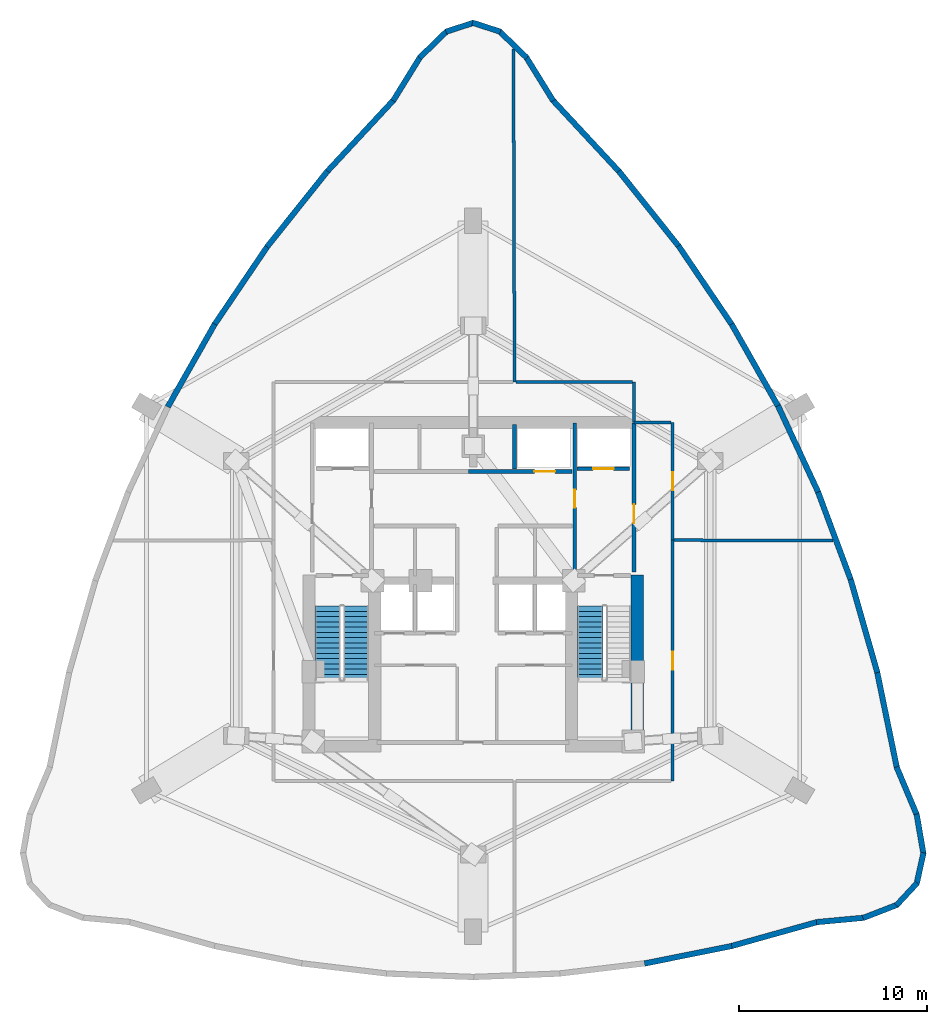
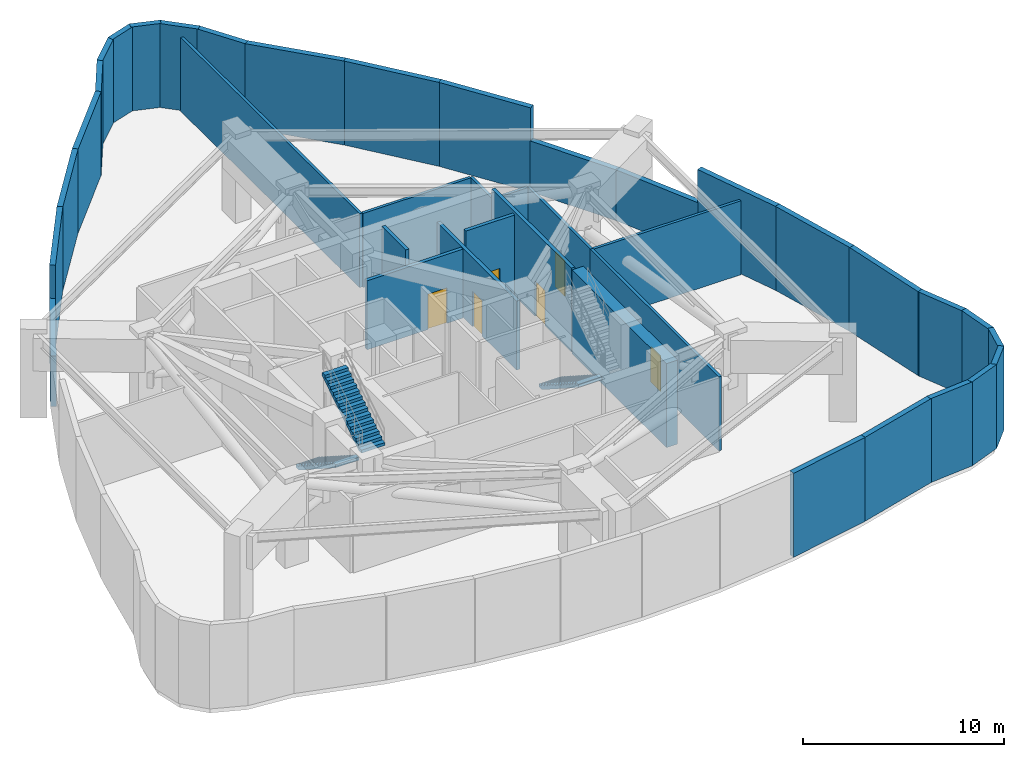
# One storey, part 4 of 6: 39 walls, 6 doors, 3 stair flights, 6 openings, 2 elements without a shape of their own.
"""IFC4 building model written with IfcOpenShell, lengths in metres."""

from ifc_helpers import new_model, si_unit, direction, frame, frame_2d, origin, place, context, subcontext, project, spatial, polyline, rectangle, outline, extrude, material, layer, layer_set, type_object, element, fill, aggregate, save


model = new_model("IFC4")

# Units and contexts
model_context = context("Model", 3, precision=1e-05, world=origin(), true_north=direction((0.0, 1.0)))
body_context = subcontext(model_context, "Body", "Model", "MODEL_VIEW")
ifc_project = project(units=[si_unit("LENGTHUNIT", "METRE"), si_unit("AREAUNIT", "SQUARE_METRE"), si_unit("VOLUMEUNIT", "CUBIC_METRE"), si_unit("PLANEANGLEUNIT", "RADIAN"), si_unit("MASSUNIT", "GRAM", prefix="KILO")], contexts=[model_context])

# Site, building, storey
site_placement = place(None, origin())
site = spatial("IfcSite", under=ifc_project, at=site_placement, CompositionType="ELEMENT")
building_placement = place(site_placement, origin())
building = spatial("IfcBuilding", under=site, at=building_placement, Name="Miruveldt Soraemaru", CompositionType="ELEMENT")
storey_placement = place(building_placement, frame((0.0, 0.0, 90.39990234375)))
storey = spatial("IfcBuildingStorey", under=building, at=storey_placement, Name="L25", CompositionType="ELEMENT", Elevation=90.39990234375)

# Walls
ifc_material_1 = material(Name="Concrete C80/95 (80 MPa)", Category="concrete")
ifc_layer_1 = layer(ifc_material_1, 0.64990234375, Name="Concrete C80/95 (80 MPa)", Category="concrete")
ifc_layer_set_1 = layer_set([ifc_layer_1], Name="Concrete C80/95 (80 MPa)")
wall_type_1 = type_object("IfcWallType", Name="WALL-CW-650", PredefinedType="SHEAR", material=ifc_layer_set_1)
wall_1_placement = place(storey_placement, frame((52.72509765625, 34.949951171875, 0.0), z_axis=(0.0, 0.0, 1.0), x_axis=(0.0, 1.0, 0.0)))
element("IfcWall", 1, at=wall_1_placement, inside=storey, type_object=wall_type_1, Name="L25 Central Core Shear Wall E1", PredefinedType="SHEAR", context=body_context, shape_type="SweptSolid", body=[
    extrude(rectangle(XDim=9.400146484375, YDim=0.64990234375, at=frame_2d((4.7001953125, 0.0))), origin(), (0.0, 0.0, 1.0), 5.10009765625),
])
ifc_material_2 = material(Name="Precast concrete C45/55 (45 MPa)", Category="concrete")
ifc_layer_2 = layer(ifc_material_2, 0.300048828125, Name="Precast concrete C45/55 (45 MPa)", Category="concrete")
ifc_layer_set_2 = layer_set([ifc_layer_2], Name="Precast concrete C45/55 (45 MPa)")
wall_type_2 = type_object("IfcWallType", Name="WALL-EXT-PC300", PredefinedType="SOLIDWALL", material=ifc_layer_set_2)
wall_2_placement = place(storey_placement, frame((48.256591796875, 69.551025390625, 0.0), z_axis=(0.0, 0.0, 1.0), x_axis=(-0.526122775555, 0.850408622394, 0.0)))
element("IfcWall", 2, at=wall_2_placement, inside=storey, type_object=wall_type_2, Name="L25 Precast Concrete Facade Wall 1", PredefinedType="SOLIDWALL", context=body_context, shape_type="SweptSolid", body=[
    extrude(rectangle(XDim=2.75537109375, YDim=0.300048828125, at=frame_2d((1.377685546875, 0.0))), origin(), (0.0, 0.0, 1.0), 5.10009765625),
])
wall_3_placement = place(storey_placement, frame((46.8505859375, 71.840087890625, 0.0), z_axis=(0.0, 0.0, 1.0), x_axis=(-0.717746181479, 0.696304831932, 0.0)))
element("IfcWall", 3, at=wall_3_placement, inside=storey, type_object=wall_type_2, Name="L25 Precast Concrete Facade Wall 2", PredefinedType="SOLIDWALL", context=body_context, shape_type="SweptSolid", body=[
    extrude(rectangle(XDim=2.0380859375, YDim=0.300048828125, at=frame_2d((1.01904296875, 0.0))), origin(), (0.0, 0.0, 1.0), 5.10009765625),
])
for number, where, z_axis, x_axis, name in (
    (4, (45.446044921875, 73.22412109375, 0.0), (0.0, 0.0, 1.0), (-0.95150266892, 0.307640489918, 0.0), "L25 Precast Concrete Facade Wall 3"),
    (5, (44.033203125, 73.702392578125, 0.0), (0.0, 0.0, 1.0), (-0.95150266892, -0.307640489918, 0.0), "L25 Precast Concrete Facade Wall 4"),
):
    element("IfcWall", number, at=place(storey_placement, frame(where, z_axis=z_axis, x_axis=x_axis)), inside=storey, type_object=wall_type_2, Name=name, PredefinedType="SOLIDWALL", context=body_context, shape_type="SweptSolid", body=[
        extrude(rectangle(XDim=1.5546875, YDim=0.300048828125, at=frame_2d((0.77734375, 0.0))), origin(), (0.0, 0.0, 1.0), 5.10009765625),
    ])
wall_4_placement = place(storey_placement, frame((42.6123046875, 73.25927734375, 0.0), z_axis=(0.0, 0.0, 1.0), x_axis=(-0.717746181479, -0.696304831932, 0.0)))
element("IfcWall", 6, at=wall_4_placement, inside=storey, type_object=wall_type_2, Name="L25 Precast Concrete Facade Wall 5", PredefinedType="SOLIDWALL", context=body_context, shape_type="SweptSolid", body=[
    extrude(rectangle(XDim=2.0380859375, YDim=0.300048828125, at=frame_2d((1.01904296875, 0.0))), origin(), (0.0, 0.0, 1.0), 5.10009765625),
])
wall_5_placement = place(storey_placement, frame((41.193115234375, 71.894287109375, 0.0), z_axis=(0.0, 0.0, 1.0), x_axis=(-0.526122775555, -0.850408622394, 0.0)))
element("IfcWall", 7, at=wall_5_placement, inside=storey, type_object=wall_type_2, Name="L25 Precast Concrete Facade Wall 6", PredefinedType="SOLIDWALL", context=body_context, shape_type="SweptSolid", body=[
    extrude(rectangle(XDim=2.75537109375, YDim=0.300048828125, at=frame_2d((1.377685546875, 0.0))), origin(), (0.0, 0.0, 1.0), 5.10009765625),
])
wall_6_placement = place(storey_placement, frame((39.78564453125, 69.6064453125, 0.0), z_axis=(0.0, 0.0, 1.0), x_axis=(-0.680891661454, -0.732384151496, 0.0)))
element("IfcWall", 8, at=wall_6_placement, inside=storey, type_object=wall_type_2, Name="L25 Precast Concrete Facade Wall 7", PredefinedType="SOLIDWALL", context=body_context, shape_type="SweptSolid", body=[
    extrude(rectangle(XDim=5.24853515625, YDim=0.300048828125, at=frame_2d((2.624267578125, 0.0))), origin(), (0.0, 0.0, 1.0), 5.10009765625),
])
wall_7_placement = place(storey_placement, frame((36.257568359375, 65.8154296875, 0.0), z_axis=(0.0, 0.0, 1.0), x_axis=(-0.623614531154, -0.781731997896, 0.0)))
element("IfcWall", 9, at=wall_7_placement, inside=storey, type_object=wall_type_2, Name="L25 Precast Concrete Facade Wall 8", PredefinedType="SOLIDWALL", context=body_context, shape_type="SweptSolid", body=[
    extrude(rectangle(XDim=5.155517578125, YDim=0.300048828125, at=frame_2d((2.57763671875, 0.0))), origin(), (0.0, 0.0, 1.0), 5.10009765625),
])
wall_8_placement = place(storey_placement, frame((33.083984375, 61.841552734375, 0.0), z_axis=(0.0, 0.0, 1.0), x_axis=(-0.560824825682, -0.827934487081, 0.0)))
element("IfcWall", 10, at=wall_8_placement, inside=storey, type_object=wall_type_2, Name="L25 Precast Concrete Facade Wall 9", PredefinedType="SOLIDWALL", context=body_context, shape_type="SweptSolid", body=[
    extrude(rectangle(XDim=5.0927734375, YDim=0.300048828125, at=frame_2d((2.54638671875, 0.0))), origin(), (0.0, 0.0, 1.0), 5.10009765625),
])
wall_9_placement = place(storey_placement, frame((30.264892578125, 57.6845703125, 0.0), z_axis=(0.0, 0.0, 1.0), x_axis=(-0.493414193935, -0.869794477577, 0.0)))
element("IfcWall", 11, at=wall_9_placement, inside=storey, type_object=wall_type_2, Name="L25 Precast Concrete Facade Wall 10", PredefinedType="SOLIDWALL", context=body_context, shape_type="SweptSolid", body=[
    extrude(rectangle(XDim=5.060791015625, YDim=0.300048828125, at=frame_2d((2.5302734375, 0.0))), origin(), (0.0, 0.0, 1.0), 3.088134765625),
])
wall_10_placement = place(storey_placement, frame((53.10546875, 23.6982421875, 0.0), z_axis=(0.0, 0.0, 1.0), x_axis=(0.980568763514, 0.196175686621, 0.0)))
element("IfcWall", 12, at=wall_10_placement, inside=storey, type_object=wall_type_2, Name="L25 Precast Concrete Facade Wall 27", PredefinedType="SOLIDWALL", context=body_context, shape_type="SweptSolid", body=[
    extrude(rectangle(XDim=4.730224609375, YDim=0.300048828125, at=frame_2d((2.365234375, 0.0))), origin(), (0.0, 0.0, 1.0), 5.10009765625),
])
wall_11_placement = place(storey_placement, frame((57.676025390625, 24.60986328125, 0.0), z_axis=(0.0, 0.0, 1.0), x_axis=(0.962968231939, 0.269614881407, 0.0)))
element("IfcWall", 13, at=wall_11_placement, inside=storey, type_object=wall_type_2, Name="L25 Precast Concrete Facade Wall 28", PredefinedType="SOLIDWALL", context=body_context, shape_type="SweptSolid", body=[
    extrude(rectangle(XDim=4.8154296875, YDim=0.300048828125, at=frame_2d((2.40771484375, 0.0))), origin(), (0.0, 0.0, 1.0), 5.10009765625),
])
wall_12_placement = place(storey_placement, frame((62.24462890625, 25.8955078125, 0.0), z_axis=(0.0, 0.0, 1.0), x_axis=(0.995758864763, 0.092001539368, 0.0)))
element("IfcWall", 14, at=wall_12_placement, inside=storey, type_object=wall_type_2, Name="L25 Precast Concrete Facade Wall 29", PredefinedType="SOLIDWALL", context=body_context, shape_type="SweptSolid", body=[
    extrude(rectangle(XDim=2.552734375, YDim=0.300048828125, at=frame_2d((1.2763671875, 0.0))), origin(), (0.0, 0.0, 1.0), 5.10009765625),
])
wall_13_placement = place(storey_placement, frame((64.71923828125, 26.114501953125, 0.0), z_axis=(0.0, 0.0, 1.0), x_axis=(0.932284328801, 0.361726319575, 0.0)))
element("IfcWall", 15, at=wall_13_placement, inside=storey, type_object=wall_type_2, Name="L25 Precast Concrete Facade Wall 30", PredefinedType="SOLIDWALL", context=body_context, shape_type="SweptSolid", body=[
    extrude(rectangle(XDim=1.964111328125, YDim=0.300048828125, at=frame_2d((0.98193359375, 0.0))), origin(), (0.0, 0.0, 1.0), 5.10009765625),
])
wall_14_placement = place(storey_placement, frame((66.493896484375, 26.78662109375, 0.0), z_axis=(0.0, 0.0, 1.0), x_axis=(0.680140403354, 0.733081872457, 0.0)))
element("IfcWall", 16, at=wall_14_placement, inside=storey, type_object=wall_type_2, Name="L25 Precast Concrete Facade Wall 31", PredefinedType="SOLIDWALL", context=body_context, shape_type="SweptSolid", body=[
    extrude(rectangle(XDim=1.6279296875, YDim=0.300048828125, at=frame_2d((0.81396484375, 0.0))), origin(), (0.0, 0.0, 1.0), 5.10009765625),
])
wall_15_placement = place(storey_placement, frame((67.56982421875, 27.919921875, 0.0), z_axis=(0.0, 0.0, 1.0), x_axis=(0.21565833033, 0.976468885607, 0.0)))
element("IfcWall", 17, at=wall_15_placement, inside=storey, type_object=wall_type_2, Name="L25 Precast Concrete Facade Wall 32", PredefinedType="SOLIDWALL", context=body_context, shape_type="SweptSolid", body=[
    extrude(rectangle(XDim=1.707275390625, YDim=0.300048828125, at=frame_2d((0.853515625, 0.0))), origin(), (0.0, 0.0, 1.0), 5.10009765625),
])
wall_16_placement = place(storey_placement, frame((67.936279296875, 29.518310546875, 0.0), z_axis=(0.0, 0.0, 1.0), x_axis=(-0.169337924691, 0.985558048651, 0.0)))
element("IfcWall", 18, at=wall_16_placement, inside=storey, type_object=wall_type_2, Name="L25 Precast Concrete Facade Wall 33", PredefinedType="SOLIDWALL", context=body_context, shape_type="SweptSolid", body=[
    extrude(rectangle(XDim=2.155517578125, YDim=0.300048828125, at=frame_2d((1.07763671875, 0.0))), origin(), (0.0, 0.0, 1.0), 5.10009765625),
])
wall_17_placement = place(storey_placement, frame((67.5908203125, 31.575927734375, 0.0), z_axis=(0.0, 0.0, 1.0), x_axis=(-0.388591648194, 0.921410077519, 0.0)))
element("IfcWall", 19, at=wall_17_placement, inside=storey, type_object=wall_type_2, Name="L25 Precast Concrete Facade Wall 34", PredefinedType="SOLIDWALL", context=body_context, shape_type="SweptSolid", body=[
    extrude(rectangle(XDim=2.79638671875, YDim=0.300048828125, at=frame_2d((1.398193359375, 0.0))), origin(), (0.0, 0.0, 1.0), 5.10009765625),
])
wall_18_placement = place(storey_placement, frame((66.52490234375, 34.0859375, 0.0), z_axis=(0.0, 0.0, 1.0), x_axis=(-0.201587300232, 0.979470551056, 0.0)))
element("IfcWall", 20, at=wall_18_placement, inside=storey, type_object=wall_type_2, Name="L25 Precast Concrete Facade Wall 35", PredefinedType="SOLIDWALL", context=body_context, shape_type="SweptSolid", body=[
    extrude(rectangle(XDim=5.248779296875, YDim=0.300048828125, at=frame_2d((2.62451171875, 0.0))), origin(), (0.0, 0.0, 1.0), 5.10009765625),
])
wall_19_placement = place(storey_placement, frame((65.4833984375, 39.158935546875, 0.0), z_axis=(0.0, 0.0, 1.0), x_axis=(-0.274933764691, 0.961463168839, 0.0)))
element("IfcWall", 21, at=wall_19_placement, inside=storey, type_object=wall_type_2, Name="L25 Precast Concrete Facade Wall 36", PredefinedType="SOLIDWALL", context=body_context, shape_type="SweptSolid", body=[
    extrude(rectangle(XDim=5.15576171875, YDim=0.300048828125, at=frame_2d((2.577880859375, 0.0))), origin(), (0.0, 0.0, 1.0), 5.10009765625),
])
wall_20_placement = place(storey_placement, frame((64.087646484375, 44.04931640625, 0.0), z_axis=(0.0, 0.0, 1.0), x_axis=(-0.349000064304, 0.937122700139, 0.0)))
element("IfcWall", 22, at=wall_20_placement, inside=storey, type_object=wall_type_2, Name="L25 Precast Concrete Facade Wall 37", PredefinedType="SOLIDWALL", context=body_context, shape_type="SweptSolid", body=[
    extrude(rectangle(XDim=5.0927734375, YDim=0.300048828125, at=frame_2d((2.54638671875, 0.0))), origin(), (0.0, 0.0, 1.0), 5.10009765625),
])
for number, where, z_axis, x_axis, name in (
    (23, (62.337158203125, 48.75732421875, 0.0), (0.0, 0.0, 1.0), (-0.422304370011, 0.906454090988, 0.0), "L25 Precast Concrete Facade Wall 38"),
    (24, (60.232177734375, 53.28271484375, 0.0), (0.0, 0.0, 1.0), (-0.493414193935, 0.869794477577, 0.0), "L25 Precast Concrete Facade Wall 39"),
):
    element("IfcWall", number, at=place(storey_placement, frame(where, z_axis=z_axis, x_axis=x_axis)), inside=storey, type_object=wall_type_2, Name=name, PredefinedType="SOLIDWALL", context=body_context, shape_type="SweptSolid", body=[
        extrude(rectangle(XDim=5.060791015625, YDim=0.300048828125, at=frame_2d((2.5302734375, 0.0))), origin(), (0.0, 0.0, 1.0), 3.088134765625),
    ])
wall_21_placement = place(storey_placement, frame((57.772216796875, 57.625, 0.0), z_axis=(0.0, 0.0, 1.0), x_axis=(-0.560824825682, 0.827934487081, 0.0)))
element("IfcWall", 25, at=wall_21_placement, inside=storey, type_object=wall_type_2, Name="L25 Precast Concrete Facade Wall 40", PredefinedType="SOLIDWALL", context=body_context, shape_type="SweptSolid", body=[
    extrude(rectangle(XDim=5.0927734375, YDim=0.300048828125, at=frame_2d((2.54638671875, 0.0))), origin(), (0.0, 0.0, 1.0), 5.10009765625),
])
wall_22_placement = place(storey_placement, frame((54.95751953125, 61.78515625, 0.0), z_axis=(0.0, 0.0, 1.0), x_axis=(-0.623614531154, 0.781731997896, 0.0)))
element("IfcWall", 26, at=wall_22_placement, inside=storey, type_object=wall_type_2, Name="L25 Precast Concrete Facade Wall 41", PredefinedType="SOLIDWALL", context=body_context, shape_type="SweptSolid", body=[
    extrude(rectangle(XDim=5.155517578125, YDim=0.300048828125, at=frame_2d((2.57763671875, 0.0))), origin(), (0.0, 0.0, 1.0), 5.10009765625),
])
wall_23_placement = place(storey_placement, frame((51.7880859375, 65.762451171875, 0.0), z_axis=(0.0, 0.0, 1.0), x_axis=(-0.680891661454, 0.732384151496, 0.0)))
element("IfcWall", 27, at=wall_23_placement, inside=storey, type_object=wall_type_2, Name="L25 Precast Concrete Facade Wall 42", PredefinedType="SOLIDWALL", context=body_context, shape_type="SweptSolid", body=[
    extrude(rectangle(XDim=5.24853515625, YDim=0.300048828125, at=frame_2d((2.624267578125, 0.0))), origin(), (0.0, 0.0, 1.0), 5.10009765625),
])

# Wall, opening, door
ifc_material_3 = material(Name="Concrete C40/50 (40 MPa)", Category="concrete")
ifc_layer_3 = layer(ifc_material_3, 0.159912109375, Name="Concrete C40/50 (40 MPa)", Category="concrete")
ifc_layer_set_3 = layer_set([ifc_layer_3], Name="Concrete C40/50 (40 MPa)")
wall_type_3 = type_object("IfcWallType", Name="WALL-INT-RC160", PredefinedType="SOLIDWALL", material=ifc_layer_set_3)
wall_24_placement = place(storey_placement, frame((54.60009765625, 33.39990234375, 0.0), z_axis=(0.0, 0.0, 1.0), x_axis=(0.0, 1.0, 0.0)))
wall_24 = element("IfcWall", 28, at=wall_24_placement, inside=storey, type_object=wall_type_3, Name="L25 Partition Wall 4", PredefinedType="SOLIDWALL", context=body_context, shape_type="SweptSolid", body=[
    extrude(rectangle(XDim=12.800048828125, YDim=0.159912109375, at=frame_2d((6.39990234375, 0.0))), origin(), (0.0, 0.0, 1.0), 4.5),
])
opening_1_placement = place(wall_24_placement, frame((5.925048828125, 0.0, 0.0)))
opening_1 = element("IfcOpeningElement", 29, at=opening_1_placement, cuts=wall_24, Name="Opening FD2", PredefinedType="OPENING", context=body_context, shape_type="SweptSolid", body=[
    extrude(rectangle(XDim=0.949951171875, YDim=2.14990234375, at=frame_2d((0.47509765625, 1.074951171875))), frame((0.0, 0.08984375, 0.0), z_axis=(0.0, -1.0, 0.0), x_axis=(1.0, 0.0, 0.0)), (0.0, 0.0, 1.0), 0.179931640625),
])
ifc_material_4 = material(Name="Anodised aluminium EN AW-6063 T6", Category="aluminium")
door_type_1 = type_object("IfcDoorType", Name="DOOR-FD2-950", OperationType="NOTDEFINED", PredefinedType="DOOR", material=ifc_material_4)
door_1_placement = place(opening_1_placement, origin())
door_1 = element("IfcDoor", 30, at=door_1_placement, inside=storey, type_object=door_type_1, Name="L25 Chiller and Heat Exchanger Plant Room Fire Door", OperationType="SINGLE_SWING_LEFT", OverallHeight=2.14990234375, OverallWidth=0.949951171875, PredefinedType="DOOR", context=body_context, shape_type="SweptSolid", body=[
    extrude(rectangle(XDim=0.949951171875, YDim=2.14990234375, at=frame_2d((0.47509765625, 1.074951171875))), frame((0.0, 0.02490234375, 0.0), z_axis=(0.0, -1.0, 0.0), x_axis=(1.0, 0.0, 0.0)), (0.0, 0.0, 1.0), 0.050048828125),
])
fill(opening_1, door_1)

wall_25_placement = place(storey_placement, frame((54.60009765625, 46.199951171875, 0.0), z_axis=(0.0, 0.0, 1.0), x_axis=(0.0, 1.0, 0.0)))
wall_25 = element("IfcWall", 31, at=wall_25_placement, inside=storey, type_object=wall_type_3, Name="L25 Partition Wall 7", PredefinedType="SOLIDWALL", context=body_context, shape_type="SweptSolid", body=[
    extrude(rectangle(XDim=6.25, YDim=0.159912109375, at=frame_2d((3.125, 0.0))), origin(), (0.0, 0.0, 1.0), 4.5),
])
opening_2_placement = place(wall_25_placement, frame((2.64990234375, 0.0, 0.0)))
opening_2 = element("IfcOpeningElement", 32, at=opening_2_placement, cuts=wall_25, Name="Opening FD2", PredefinedType="OPENING", context=body_context, shape_type="SweptSolid", body=[
    extrude(rectangle(XDim=0.949951171875, YDim=2.14990234375, at=frame_2d((0.47509765625, 1.074951171875))), frame((0.0, 0.08984375, 0.0), z_axis=(0.0, -1.0, 0.0), x_axis=(1.0, 0.0, 0.0)), (0.0, 0.0, 1.0), 0.179931640625),
])
door_2_placement = place(opening_2_placement, origin())
door_2 = element("IfcDoor", 33, at=door_2_placement, inside=storey, type_object=door_type_1, Name="L25 Electrical Switchgear and Pump Plant Room Fire Door", OperationType="SINGLE_SWING_LEFT", OverallHeight=2.14990234375, OverallWidth=0.949951171875, PredefinedType="DOOR", context=body_context, shape_type="SweptSolid", body=[
    extrude(rectangle(XDim=0.949951171875, YDim=2.14990234375, at=frame_2d((0.47509765625, 1.074951171875))), frame((0.0, 0.02490234375, 0.0), z_axis=(0.0, -1.0, 0.0), x_axis=(1.0, 0.0, 0.0)), (0.0, 0.0, 1.0), 0.050048828125),
])
fill(opening_2, door_2)

# Walls
wall_26_placement = place(storey_placement, frame((46.199951171875, 54.60009765625, 0.0), z_axis=(0.0, 0.0, 1.0), x_axis=(-0.003324348828, 0.999994474337, 0.0)))
element("IfcWall", 34, at=wall_26_placement, inside=storey, type_object=wall_type_3, Name="L25 Partition Wall 14", PredefinedType="SOLIDWALL", context=body_context, shape_type="SweptSolid", body=[
    extrude(rectangle(XDim=17.698974609375, YDim=0.159912109375, at=frame_2d((8.849609375, 0.0))), origin(), (0.0, 0.0, 1.0), 4.488037109375),
])
wall_27_placement = place(storey_placement, frame((63.1220703125, 46.169921875, 0.0), z_axis=(0.0, 0.0, 1.0), x_axis=(-0.999993673679, 0.003557049708, 0.0)))
element("IfcWall", 35, at=wall_27_placement, inside=storey, type_object=wall_type_3, Name="L25 Partition Wall 13", PredefinedType="SOLIDWALL", context=body_context, shape_type="SweptSolid", body=[
    extrude(rectangle(XDim=8.442138671875, YDim=0.159912109375, at=frame_2d((4.22119140625, 0.0))), origin(), (0.0, 0.0, 1.0), 4.488037109375),
])
wall_28_placement = place(storey_placement, frame((52.469970703125, 54.60009765625, 0.0), z_axis=(0.0, 0.0, 1.0), x_axis=(-1.0, 0.0, 0.0)))
element("IfcWall", 36, at=wall_28_placement, inside=storey, type_object=wall_type_3, Name="L25 Partition Wall 10", PredefinedType="SOLIDWALL", context=body_context, shape_type="SweptSolid", body=[
    extrude(rectangle(XDim=6.18994140625, YDim=0.159912109375, at=frame_2d((3.094970703125, 0.0))), origin(), (0.0, 0.0, 1.0), 4.5),
])
wall_29_placement = place(storey_placement, frame((52.550048828125, 52.449951171875, 0.0), z_axis=(0.0, 0.0, 1.0), x_axis=(0.0, 1.0, 0.0)))
element("IfcWall", 37, at=wall_29_placement, inside=storey, type_object=wall_type_3, Name="L25 Partition Wall 9", PredefinedType="SOLIDWALL", context=body_context, shape_type="SweptSolid", body=[
    extrude(rectangle(XDim=2.150146484375, YDim=0.159912109375, at=frame_2d((1.0751953125, 0.0))), origin(), (0.0, 0.0, 1.0), 4.5),
])
wall_30_placement = place(storey_placement, frame((54.52001953125, 52.449951171875, 0.0), z_axis=(0.0, 0.0, 1.0), x_axis=(-1.0, 0.0, 0.0)))
element("IfcWall", 38, at=wall_30_placement, inside=storey, type_object=wall_type_3, Name="L25 Partition Wall 8", PredefinedType="SOLIDWALL", context=body_context, shape_type="SweptSolid", body=[
    extrude(rectangle(XDim=1.969970703125, YDim=0.159912109375, at=frame_2d((0.98486328125, 0.0))), origin(), (0.0, 0.0, 1.0), 4.5),
])

# Wall, opening, door
ifc_layer_4 = layer(ifc_material_3, 0.199951171875, Name="Concrete C40/50 (40 MPa)", Category="concrete")
ifc_layer_set_4 = layer_set([ifc_layer_4], Name="Concrete C40/50 (40 MPa)")
wall_type_4 = type_object("IfcWallType", Name="WALL-INT-RC200", PredefinedType="SOLIDWALL", material=ifc_layer_set_4)
wall_31_placement = place(storey_placement, frame((52.550048828125, 44.5, 0.0), z_axis=(0.0, 0.0, 1.0), x_axis=(0.0, 1.0, 0.0)))
wall_31 = element("IfcWall", 39, at=wall_31_placement, inside=storey, type_object=wall_type_4, Name="L25 Core Compartment Wall FFE-OUT", PredefinedType="SOLIDWALL", context=body_context, shape_type="SweptSolid", body=[
    extrude(rectangle(XDim=7.919921875, YDim=0.199951171875, at=frame_2d((3.9599609375, 0.0))), origin(), (0.0, 0.0, 1.0), 5.10009765625),
])
opening_3_placement = place(wall_31_placement, frame((2.60009765625, 0.0, 0.0)))
opening_3 = element("IfcOpeningElement", 40, at=opening_3_placement, cuts=wall_31, Name="Opening FD1", PredefinedType="OPENING", context=body_context, shape_type="SweptSolid", body=[
    extrude(rectangle(XDim=1.0, YDim=2.14990234375, at=frame_2d((0.5, 1.074951171875))), frame((0.0, 0.10986328125, 0.0), z_axis=(0.0, -1.0, 0.0), x_axis=(1.0, 0.0, 0.0)), (0.0, 0.0, 1.0), 0.219970703125),
])
door_type_2 = type_object("IfcDoorType", Name="DOOR-FD1-1000", OperationType="NOTDEFINED", PredefinedType="DOOR", material=ifc_material_4)
door_3_placement = place(opening_3_placement, frame((1.0, 0.0, 0.0), z_axis=(0.0, 0.0, 1.0), x_axis=(-1.0, 0.0, 0.0)))
door_3 = element("IfcDoor", 41, at=door_3_placement, inside=storey, type_object=door_type_2, Name="L25 East Firefighting Lobby Exit Door", OperationType="SINGLE_SWING_RIGHT", OverallHeight=2.14990234375, OverallWidth=1.0, PredefinedType="DOOR", context=body_context, shape_type="SweptSolid", body=[
    extrude(rectangle(XDim=1.0, YDim=2.14990234375, at=frame_2d((0.5, 1.074951171875))), frame((0.0, 0.02490234375, 0.0), z_axis=(0.0, -1.0, 0.0), x_axis=(1.0, 0.0, 0.0)), (0.0, 0.0, 1.0), 0.050048828125),
])
fill(opening_3, door_3)

wall_32_placement = place(storey_placement, frame((49.39990234375, 44.5, 0.0), z_axis=(0.0, 0.0, 1.0), x_axis=(0.0, 1.0, 0.0)))
wall_32 = element("IfcWall", 42, at=wall_32_placement, inside=storey, type_object=wall_type_4, Name="L25 Core Compartment Wall FFE-IN", PredefinedType="SOLIDWALL", context=body_context, shape_type="SweptSolid", body=[
    extrude(rectangle(XDim=7.919921875, YDim=0.199951171875, at=frame_2d((3.9599609375, 0.0))), origin(), (0.0, 0.0, 1.0), 4.18798828125),
])
opening_4_placement = place(wall_32_placement, frame((3.425048828125, 0.0, 0.0)))
opening_4 = element("IfcOpeningElement", 43, at=opening_4_placement, cuts=wall_32, Name="Opening FD2", PredefinedType="OPENING", context=body_context, shape_type="SweptSolid", body=[
    extrude(rectangle(XDim=0.949951171875, YDim=2.14990234375, at=frame_2d((0.47509765625, 1.074951171875))), frame((0.0, 0.10986328125, 0.0), z_axis=(0.0, -1.0, 0.0), x_axis=(1.0, 0.0, 0.0)), (0.0, 0.0, 1.0), 0.219970703125),
])
door_4_placement = place(opening_4_placement, origin())
door_4 = element("IfcDoor", 44, at=door_4_placement, inside=storey, type_object=door_type_1, Name="L25 Lift Lobby to East Fire Lobby Door", OperationType="SINGLE_SWING_LEFT", OverallHeight=2.14990234375, OverallWidth=0.949951171875, PredefinedType="DOOR", context=body_context, shape_type="SweptSolid", body=[
    extrude(rectangle(XDim=0.949951171875, YDim=2.14990234375, at=frame_2d((0.47509765625, 1.074951171875))), frame((0.0, 0.02490234375, 0.0), z_axis=(0.0, -1.0, 0.0), x_axis=(1.0, 0.0, 0.0)), (0.0, 0.0, 1.0), 0.050048828125),
])
fill(opening_4, door_4)

wall_33_placement = place(storey_placement, frame((43.75, 49.85009765625, 0.0), z_axis=(0.0, 0.0, 1.0), x_axis=(1.0, 0.0, 0.0)))
wall_33 = element("IfcWall", 45, at=wall_33_placement, inside=storey, type_object=wall_type_4, Name="L25 Core Compartment Wall ROWA-SE", PredefinedType="SOLIDWALL", context=body_context, shape_type="SweptSolid", body=[
    extrude(rectangle(XDim=5.5, YDim=0.199951171875, at=frame_2d((2.75, 0.0))), origin(), (0.0, 0.0, 1.0), 4.18798828125),
])
opening_5_placement = place(wall_33_placement, frame((3.5, 0.0, 0.0)))
opening_5 = element("IfcOpeningElement", 46, at=opening_5_placement, cuts=wall_33, Name="Opening LD2", PredefinedType="OPENING", context=body_context, shape_type="SweptSolid", body=[
    extrude(rectangle(XDim=1.10009765625, YDim=2.14990234375, at=frame_2d((0.550048828125, 1.074951171875))), frame((0.0, 0.10986328125, 0.0), z_axis=(0.0, -1.0, 0.0), x_axis=(1.0, 0.0, 0.0)), (0.0, 0.0, 1.0), 0.219970703125),
])
door_type_3 = type_object("IfcDoorType", Name="DOOR-LD2-1100", OperationType="SLIDING_TO_LEFT", PredefinedType="DOOR", material=ifc_material_4)
door_5_placement = place(opening_5_placement, origin())
door_5 = element("IfcDoor", 47, at=door_5_placement, inside=storey, type_object=door_type_3, Name="L25 SL-1 Landing Door", OperationType="SLIDING_TO_LEFT", OverallHeight=2.14990234375, OverallWidth=1.10009765625, PredefinedType="DOOR", context=body_context, shape_type="SweptSolid", body=[
    extrude(rectangle(XDim=1.10009765625, YDim=2.14990234375, at=frame_2d((0.550048828125, 1.074951171875))), frame((0.0, 0.02490234375, 0.0), z_axis=(0.0, -1.0, 0.0), x_axis=(1.0, 0.0, 0.0)), (0.0, 0.0, 1.0), 0.050048828125),
])
fill(opening_5, door_5)

wall_34_placement = place(storey_placement, frame((49.52001953125, 50.0, 0.0), z_axis=(0.0, 0.0, 1.0), x_axis=(1.0, 0.0, 0.0)))
wall_34 = element("IfcWall", 48, at=wall_34_placement, inside=storey, type_object=wall_type_4, Name="L25 Core Compartment Wall FFL2-S", PredefinedType="SOLIDWALL", context=body_context, shape_type="SweptSolid", body=[
    extrude(rectangle(XDim=2.800048828125, YDim=0.199951171875, at=frame_2d((1.39990234375, 0.0))), origin(), (0.0, 0.0, 1.0), 5.10009765625),
])
opening_6_placement = place(wall_34_placement, frame((0.85009765625, 0.0, 0.0)))
opening_6 = element("IfcOpeningElement", 49, at=opening_6_placement, cuts=wall_34, Name="Opening LD2", PredefinedType="OPENING", context=body_context, shape_type="SweptSolid", body=[
    extrude(rectangle(XDim=1.10009765625, YDim=2.14990234375, at=frame_2d((0.550048828125, 1.074951171875))), frame((0.0, 0.10986328125, 0.0), z_axis=(0.0, -1.0, 0.0), x_axis=(1.0, 0.0, 0.0)), (0.0, 0.0, 1.0), 0.219970703125),
])
door_6_placement = place(opening_6_placement, origin())
door_6 = element("IfcDoor", 50, at=door_6_placement, inside=storey, type_object=door_type_3, Name="L25 FFL-2 Landing Door", OperationType="SLIDING_TO_LEFT", OverallHeight=2.14990234375, OverallWidth=1.10009765625, PredefinedType="DOOR", context=body_context, shape_type="SweptSolid", body=[
    extrude(rectangle(XDim=1.10009765625, YDim=2.14990234375, at=frame_2d((0.550048828125, 1.074951171875))), frame((0.0, 0.02490234375, 0.0), z_axis=(0.0, -1.0, 0.0), x_axis=(1.0, 0.0, 0.0)), (0.0, 0.0, 1.0), 0.050048828125),
])
fill(opening_6, door_6)

# Wall
wall_35_placement = place(storey_placement, frame((46.199951171875, 49.97998046875, 0.0), z_axis=(0.0, 0.0, 1.0), x_axis=(0.0, 1.0, 0.0)))
element("IfcWall", 51, at=wall_35_placement, inside=storey, type_object=wall_type_4, Name="L25 Core Compartment Wall PLH-SL-DIV", PredefinedType="SOLIDWALL", context=body_context, shape_type="SweptSolid", body=[
    extrude(rectangle(XDim=2.3701171875, YDim=0.199951171875, at=frame_2d((1.18505859375, 0.0))), origin(), (0.0, 0.0, 1.0), 5.10009765625),
])

# Stair, stair flights
stair_type = type_object("IfcStairType", Name="STAIR-DL-540", PredefinedType="HALF_TURN_STAIR", material=ifc_material_3)
stair_1_placement = place(storey_placement, origin())
stair_1 = element("IfcStair", 52, at=stair_1_placement, inside=storey, type_object=stair_type, Name="L25 Protected Exit Stair ST-1", PredefinedType="HALF_TURN_STAIR")
stair_flight_type = type_object("IfcStairFlightType", Name="SFL-DL-540", PredefinedType="STRAIGHT", material=ifc_material_3)
stair_flight_1_placement = place(storey_placement, frame((36.27490234375, 42.699951171875, 0.0), z_axis=(0.0, 0.0, 1.0), x_axis=(0.0, -1.0, 0.0)))
stair_flight_1 = element("IfcStairFlight", 53, at=stair_flight_1_placement, type_object=stair_flight_type, Name="ST-1 flight 1", NumberOfRisers=15, NumberOfTreads=14, PredefinedType="STRAIGHT", RiserHeight=0.18, TreadLength=0.28, context=body_context, shape_type="SweptSolid", body=[
    extrude(outline(polyline([(0.0, 0.0), (0.0, 0.179931640625), (0.280029296875, 0.179931640625), (0.280029296875, 0.360107421875), (0.56005859375, 0.360107421875), (0.56005859375, 0.5400390625), (0.840087890625, 0.5400390625), (0.840087890625, 0.719970703125), (1.1201171875, 0.719970703125), (1.1201171875, 0.89990234375), (1.39990234375, 0.89990234375), (1.39990234375, 1.080078125), (1.679931640625, 1.080078125), (1.679931640625, 1.260009765625), (1.9599609375, 1.260009765625), (1.9599609375, 1.43994140625), (2.239990234375, 1.43994140625), (2.239990234375, 1.6201171875), (2.52001953125, 1.6201171875), (2.52001953125, 1.800048828125), (2.800048828125, 1.800048828125), (2.800048828125, 1.97998046875), (3.080078125, 1.97998046875), (3.080078125, 2.159912109375), (3.360107421875, 2.159912109375), (3.360107421875, 2.340087890625), (3.639892578125, 2.340087890625), (3.639892578125, 2.52001953125), (3.919921875, 2.52001953125), (3.919921875, 2.699951171875), (3.919921875, 2.329833984375), (0.295654296875, 0.0), (0.0, 0.0)])), frame((0.0, 0.675048828125, 0.0), z_axis=(0.0, -1.0, 0.0), x_axis=(1.0, 0.0, 0.0)), (0.0, 0.0, 1.0), 1.35009765625),
])
stair_flight_2_placement = place(storey_placement, frame((37.77490234375, 38.780029296875, 2.7001953125), z_axis=(0.0, 0.0, 1.0), x_axis=(0.0, 1.0, 0.0)))
stair_flight_2 = element("IfcStairFlight", 54, at=stair_flight_2_placement, type_object=stair_flight_type, Name="ST-1 flight 2", NumberOfRisers=15, NumberOfTreads=14, PredefinedType="STRAIGHT", RiserHeight=0.18, TreadLength=0.28, context=body_context, shape_type="SweptSolid", body=[
    extrude(outline(polyline([(0.0, 0.0), (0.0, 0.179931640625), (0.280029296875, 0.179931640625), (0.280029296875, 0.360107421875), (0.56005859375, 0.360107421875), (0.56005859375, 0.5400390625), (0.840087890625, 0.5400390625), (0.840087890625, 0.719970703125), (1.1201171875, 0.719970703125), (1.1201171875, 0.89990234375), (1.39990234375, 0.89990234375), (1.39990234375, 1.080078125), (1.679931640625, 1.080078125), (1.679931640625, 1.260009765625), (1.9599609375, 1.260009765625), (1.9599609375, 1.43994140625), (2.239990234375, 1.43994140625), (2.239990234375, 1.6201171875), (2.52001953125, 1.6201171875), (2.52001953125, 1.800048828125), (2.800048828125, 1.800048828125), (2.800048828125, 1.97998046875), (3.080078125, 1.97998046875), (3.080078125, 2.159912109375), (3.360107421875, 2.159912109375), (3.360107421875, 2.340087890625), (3.639892578125, 2.340087890625), (3.639892578125, 2.52001953125), (3.919921875, 2.52001953125), (3.919921875, 2.699951171875), (3.919921875, 2.329833984375), (0.295654296875, 0.0), (0.0, 0.0)])), frame((0.0, 0.675048828125, 0.0), z_axis=(0.0, -1.0, 0.0), x_axis=(1.0, 0.0, 0.0)), (0.0, 0.0, 1.0), 1.35009765625),
])
aggregate(stair_1, [stair_flight_1, stair_flight_2])

# Stair, stair flight
stair_2_placement = place(storey_placement, origin())
stair_2 = element("IfcStair", 55, at=stair_2_placement, inside=storey, type_object=stair_type, Name="L25 Protected Exit Stair ST-2", PredefinedType="HALF_TURN_STAIR")
stair_flight_3_placement = place(storey_placement, frame((50.22509765625, 42.699951171875, 0.0), z_axis=(0.0, 0.0, 1.0), x_axis=(0.0, -1.0, 0.0)))
stair_flight_3 = element("IfcStairFlight", 56, at=stair_flight_3_placement, type_object=stair_flight_type, Name="ST-2 flight 1", NumberOfRisers=15, NumberOfTreads=14, PredefinedType="STRAIGHT", RiserHeight=0.18, TreadLength=0.28, context=body_context, shape_type="SweptSolid", body=[
    extrude(outline(polyline([(0.0, 0.0), (0.0, 0.179931640625), (0.280029296875, 0.179931640625), (0.280029296875, 0.360107421875), (0.56005859375, 0.360107421875), (0.56005859375, 0.5400390625), (0.840087890625, 0.5400390625), (0.840087890625, 0.719970703125), (1.1201171875, 0.719970703125), (1.1201171875, 0.89990234375), (1.39990234375, 0.89990234375), (1.39990234375, 1.080078125), (1.679931640625, 1.080078125), (1.679931640625, 1.260009765625), (1.9599609375, 1.260009765625), (1.9599609375, 1.43994140625), (2.239990234375, 1.43994140625), (2.239990234375, 1.6201171875), (2.52001953125, 1.6201171875), (2.52001953125, 1.800048828125), (2.800048828125, 1.800048828125), (2.800048828125, 1.97998046875), (3.080078125, 1.97998046875), (3.080078125, 2.159912109375), (3.360107421875, 2.159912109375), (3.360107421875, 2.340087890625), (3.639892578125, 2.340087890625), (3.639892578125, 2.52001953125), (3.919921875, 2.52001953125), (3.919921875, 2.699951171875), (3.919921875, 2.329833984375), (0.295654296875, 0.0), (0.0, 0.0)])), frame((0.0, 0.675048828125, 0.0), z_axis=(0.0, -1.0, 0.0), x_axis=(1.0, 0.0, 0.0)), (0.0, 0.0, 1.0), 1.35009765625),
])
aggregate(stair_2, [stair_flight_3])

save(model, "model.ifc")
